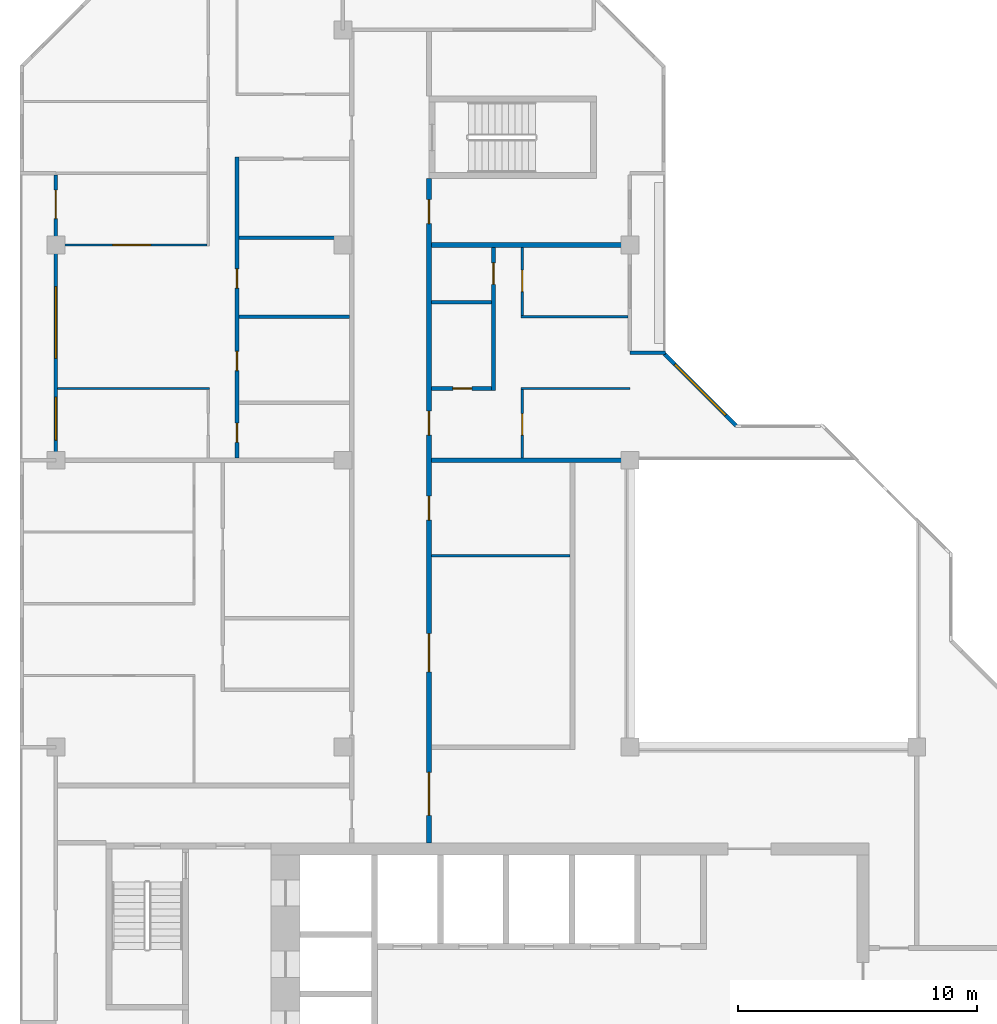
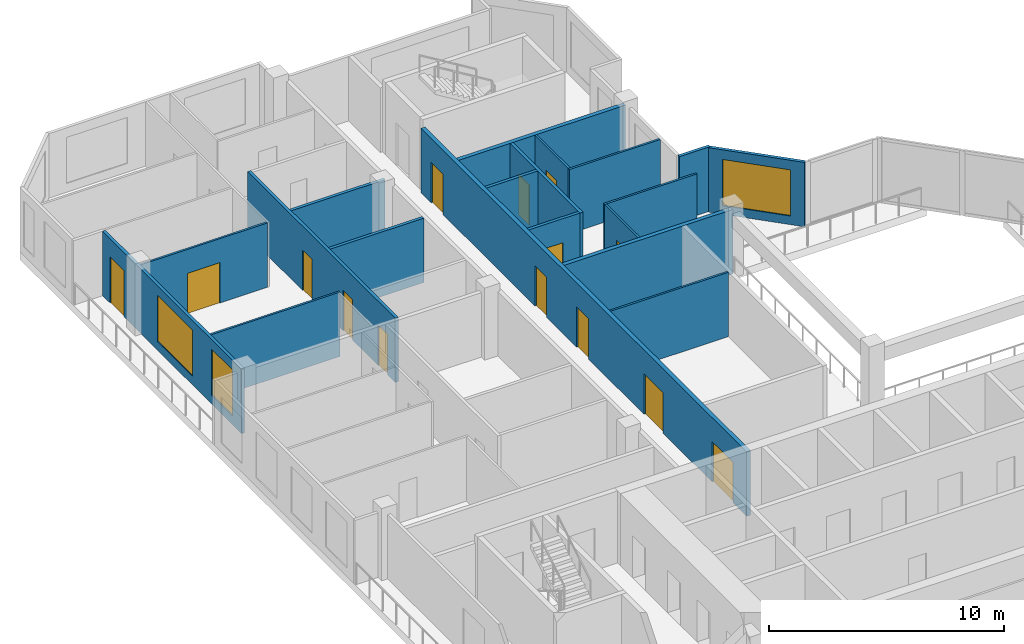
# One storey, part 8 of 12: 19 walls, 14 doors, 3 windows, 17 openings.
"""IFC4 building model written with IfcOpenShell, lengths in metres."""

from ifc_helpers import new_model, si_unit, direction, frame, frame_2d, origin, place, context, subcontext, project, spatial, rectangle, extrude, material, layer, layer_set, type_object, element, fill, save


model = new_model("IFC4")

# Units and contexts
model_context = context("Model", 3, precision=1e-05, world=origin(), true_north=direction((0.0, 1.0)))
body_context = subcontext(model_context, "Body", "Model", "MODEL_VIEW")
ifc_project = project(units=[si_unit("LENGTHUNIT", "METRE"), si_unit("AREAUNIT", "SQUARE_METRE"), si_unit("VOLUMEUNIT", "CUBIC_METRE"), si_unit("PLANEANGLEUNIT", "RADIAN"), si_unit("MASSUNIT", "GRAM", prefix="KILO")], contexts=[model_context])

# Site, building, storey
site_placement = place(None, origin())
site = spatial("IfcSite", under=ifc_project, at=site_placement, CompositionType="ELEMENT")
building_placement = place(site_placement, origin())
building = spatial("IfcBuilding", under=site, at=building_placement, Name="Chenar Terraces", CompositionType="ELEMENT")
storey_placement = place(building_placement, frame((0.0, 0.0, 365.14990234375)))
storey = spatial("IfcBuildingStorey", under=building, at=storey_placement, Name="L85", CompositionType="ELEMENT", Elevation=365.14990234375)

# Wall, openings, doors
ifc_material_1 = material(Name="Gypsum board on steel studs with fire boards", Category="steel")
ifc_layer_1 = layer(ifc_material_1, 0.199951171875)
ifc_layer_set_1 = layer_set([ifc_layer_1], Name="Gypsum board on steel studs with fire boards")
wall_type_1 = type_object("IfcWallType", Name="Corridor wall 200", PredefinedType="PARTITIONING", material=ifc_layer_set_1)
wall_1_placement = place(storey_placement, frame((15.60009765625, 20.0, 0.0), z_axis=(0.0, 0.0, 1.0), x_axis=(0.0, 1.0, 0.0)))
wall_1 = element("IfcWall", 1, at=wall_1_placement, inside=storey, type_object=wall_type_1, Name="Partition L85-032", PredefinedType="PARTITIONING", context=body_context, shape_type="SweptSolid", body=[
    extrude(rectangle(XDim=27.77490234375, YDim=0.199951171875, at=frame_2d((13.887451171875, 0.0))), origin(), (0.0, 0.0, 1.0), 3.35009765625),
])
opening_1_placement = place(wall_1_placement, frame((7.14990234375, 0.0, 0.0)))
opening_1 = element("IfcOpeningElement", 2, at=opening_1_placement, cuts=wall_1, Name="Opening DL85-1", PredefinedType="OPENING", context=body_context, shape_type="SweptSolid", body=[
    extrude(rectangle(XDim=1.60009765625, YDim=2.10009765625, at=frame_2d((0.800048828125, 1.050048828125))), frame((0.0, 0.10986328125, 0.0), z_axis=(0.0, -1.0, 0.0), x_axis=(1.0, 0.0, 0.0)), (0.0, 0.0, 1.0), 0.219970703125),
])
opening_2_placement = place(wall_1_placement, frame((13.5, 0.0, 0.0)))
opening_2 = element("IfcOpeningElement", 3, at=opening_2_placement, cuts=wall_1, Name="Opening DL85-2", PredefinedType="OPENING", context=body_context, shape_type="SweptSolid", body=[
    extrude(rectangle(XDim=1.0, YDim=2.10009765625, at=frame_2d((0.5, 1.050048828125))), frame((0.0, 0.10986328125, 0.0), z_axis=(0.0, -1.0, 0.0), x_axis=(1.0, 0.0, 0.0)), (0.0, 0.0, 1.0), 0.219970703125),
])
opening_3_placement = place(wall_1_placement, frame((17.050048828125, 0.0, 0.0)))
opening_3 = element("IfcOpeningElement", 4, at=opening_3_placement, cuts=wall_1, Name="Opening DL85-8", PredefinedType="OPENING", context=body_context, shape_type="SweptSolid", body=[
    extrude(rectangle(XDim=1.0, YDim=2.10009765625, at=frame_2d((0.5, 1.050048828125))), frame((0.0, 0.10986328125, 0.0), z_axis=(0.0, -1.0, 0.0), x_axis=(1.0, 0.0, 0.0)), (0.0, 0.0, 1.0), 0.219970703125),
])
opening_4_placement = place(wall_1_placement, frame((1.14990234375, 0.0, 0.0)))
opening_4 = element("IfcOpeningElement", 5, at=opening_4_placement, cuts=wall_1, Name="Opening DL85-20", PredefinedType="OPENING", context=body_context, shape_type="SweptSolid", body=[
    extrude(rectangle(XDim=1.800048828125, YDim=2.10009765625, at=frame_2d((0.89990234375, 1.050048828125))), frame((0.0, 0.10986328125, 0.0), z_axis=(0.0, -1.0, 0.0), x_axis=(1.0, 0.0, 0.0)), (0.0, 0.0, 1.0), 0.219970703125),
])
opening_5_placement = place(wall_1_placement, frame((25.89990234375, 0.0, 0.0)))
opening_5 = element("IfcOpeningElement", 6, at=opening_5_placement, cuts=wall_1, Name="Opening DL85-23", PredefinedType="OPENING", context=body_context, shape_type="SweptSolid", body=[
    extrude(rectangle(XDim=1.0, YDim=2.10009765625, at=frame_2d((0.5, 1.050048828125))), frame((0.0, 0.10986328125, 0.0), z_axis=(0.0, -1.0, 0.0), x_axis=(1.0, 0.0, 0.0)), (0.0, 0.0, 1.0), 0.219970703125),
])
ifc_material_2 = material(Name="Steel-framed fire-resisting door leaf", Category="steel")
door_type_1 = type_object("IfcDoorType", Name="Fire door FD60 1000 x 2100", OperationType="SINGLE_SWING_LEFT", PredefinedType="DOOR", material=ifc_material_2)
door_1_placement = place(opening_2_placement, frame((1.0, 0.0, 0.0), z_axis=(0.0, 0.0, 1.0), x_axis=(-1.0, 0.0, 0.0)))
door_1 = element("IfcDoor", 7, at=door_1_placement, inside=storey, type_object=door_type_1, Name="Door DL85-2", OperationType="SINGLE_SWING_LEFT", OverallHeight=2.10009765625, OverallWidth=1.0, PredefinedType="DOOR", context=body_context, shape_type="SweptSolid", body=[
    extrude(rectangle(XDim=1.0, YDim=2.10009765625, at=frame_2d((0.5, 1.050048828125))), frame((0.0, 0.02490234375, 0.0), z_axis=(0.0, -1.0, 0.0), x_axis=(1.0, 0.0, 0.0)), (0.0, 0.0, 1.0), 0.050048828125),
])
fill(opening_2, door_1)
door_2_placement = place(opening_3_placement, frame((1.0, 0.0, 0.0), z_axis=(0.0, 0.0, 1.0), x_axis=(-1.0, 0.0, 0.0)))
door_2 = element("IfcDoor", 8, at=door_2_placement, inside=storey, type_object=door_type_1, Name="Door DL85-8", OperationType="SINGLE_SWING_LEFT", OverallHeight=2.10009765625, OverallWidth=1.0, PredefinedType="DOOR", context=body_context, shape_type="SweptSolid", body=[
    extrude(rectangle(XDim=1.0, YDim=2.10009765625, at=frame_2d((0.5, 1.050048828125))), frame((0.0, 0.02490234375, 0.0), z_axis=(0.0, -1.0, 0.0), x_axis=(1.0, 0.0, 0.0)), (0.0, 0.0, 1.0), 0.050048828125),
])
fill(opening_3, door_2)
door_3_placement = place(opening_5_placement, frame((1.0, 0.0, 0.0), z_axis=(0.0, 0.0, 1.0), x_axis=(-1.0, 0.0, 0.0)))
door_3 = element("IfcDoor", 9, at=door_3_placement, inside=storey, type_object=door_type_1, Name="Door DL85-23", OperationType="SINGLE_SWING_RIGHT", OverallHeight=2.10009765625, OverallWidth=1.0, PredefinedType="DOOR", context=body_context, shape_type="SweptSolid", body=[
    extrude(rectangle(XDim=1.0, YDim=2.10009765625, at=frame_2d((0.5, 1.050048828125))), frame((0.0, 0.02490234375, 0.0), z_axis=(0.0, -1.0, 0.0), x_axis=(1.0, 0.0, 0.0)), (0.0, 0.0, 1.0), 0.050048828125),
])
fill(opening_5, door_3)
ifc_material_3 = material(Name="Steel-framed fire-resisting door leaf", Category="steel")
door_type_2 = type_object("IfcDoorType", Name="Fire double door FD60 1600 x 2100", OperationType="DOUBLE_DOOR_SINGLE_SWING", PredefinedType="DOOR", material=ifc_material_3)
door_4_placement = place(opening_1_placement, frame((1.60009765625, 0.0, 0.0), z_axis=(0.0, 0.0, 1.0), x_axis=(-1.0, 0.0, 0.0)))
door_4 = element("IfcDoor", 10, at=door_4_placement, inside=storey, type_object=door_type_2, Name="Door DL85-1", OperationType="DOUBLE_DOOR_SINGLE_SWING", OverallHeight=2.10009765625, OverallWidth=1.60009765625, PredefinedType="DOOR", context=body_context, shape_type="SweptSolid", body=[
    extrude(rectangle(XDim=1.60009765625, YDim=2.10009765625, at=frame_2d((0.800048828125, 1.050048828125))), frame((0.0, 0.02490234375, 0.0), z_axis=(0.0, -1.0, 0.0), x_axis=(1.0, 0.0, 0.0)), (0.0, 0.0, 1.0), 0.050048828125),
])
fill(opening_1, door_4)
ifc_material_4 = material(Name="Steel-framed fire-resisting door leaf", Category="steel")
door_type_3 = type_object("IfcDoorType", Name="Fire double door FD60 1800 x 2100", OperationType="DOUBLE_DOOR_SINGLE_SWING", PredefinedType="DOOR", material=ifc_material_4)
door_5_placement = place(opening_4_placement, frame((1.800048828125, 0.0, 0.0), z_axis=(0.0, 0.0, 1.0), x_axis=(-1.0, 0.0, 0.0)))
door_5 = element("IfcDoor", 11, at=door_5_placement, inside=storey, type_object=door_type_3, Name="Door DL85-20", OperationType="DOUBLE_DOOR_SINGLE_SWING", OverallHeight=2.10009765625, OverallWidth=1.800048828125, PredefinedType="DOOR", context=body_context, shape_type="SweptSolid", body=[
    extrude(rectangle(XDim=1.800048828125, YDim=2.10009765625, at=frame_2d((0.89990234375, 1.050048828125))), frame((0.0, 0.02490234375, 0.0), z_axis=(0.0, -1.0, 0.0), x_axis=(1.0, 0.0, 0.0)), (0.0, 0.0, 1.0), 0.050048828125),
])
fill(opening_4, door_5)

# Wall, openings, windows, door
ifc_material_5 = material(Name="Aluminium framed glazing", Category="aluminium")
ifc_layer_2 = layer(ifc_material_5, 0.14990234375)
ifc_layer_set_2 = layer_set([ifc_layer_2], Name="Aluminium framed glazing")
wall_type_2 = type_object("IfcWallType", Name="Glazed loggia back wall 150", PredefinedType="SOLIDWALL", material=ifc_layer_set_2)
wall_2_placement = place(storey_placement, frame((0.0, 47.925048828125, 0.0), z_axis=(0.0, 0.0, 1.0), x_axis=(0.0, -1.0, 0.0)))
wall_2 = element("IfcWall", 12, at=wall_2_placement, inside=storey, type_object=wall_type_2, Name="Glazed loggia back wall", PredefinedType="SOLIDWALL", context=body_context, shape_type="SweptSolid", body=[
    extrude(rectangle(XDim=11.85009765625, YDim=0.14990234375, at=frame_2d((5.925048828125, 0.0))), origin(), (0.0, 0.0, 1.0), 3.35009765625),
])
opening_6_placement = place(wall_2_placement, frame((0.625, 0.0, 0.0)))
opening_6 = element("IfcOpeningElement", 13, at=opening_6_placement, cuts=wall_2, Name="Opening DL85-G1", PredefinedType="OPENING", context=body_context, shape_type="SweptSolid", body=[
    extrude(rectangle(XDim=1.199951171875, YDim=2.39990234375, at=frame_2d((0.60009765625, 1.199951171875))), frame((0.0, 0.0849609375, 0.0), z_axis=(0.0, -1.0, 0.0), x_axis=(1.0, 0.0, 0.0)), (0.0, 0.0, 1.0), 0.169921875),
])
opening_7_placement = place(wall_2_placement, frame((4.66259765625, 0.0, 0.449951171875)))
opening_7 = element("IfcOpeningElement", 14, at=opening_7_placement, cuts=wall_2, Name="Opening W300x240", PredefinedType="OPENING", context=body_context, shape_type="SweptSolid", body=[
    extrude(rectangle(XDim=3.0, YDim=2.39990234375, at=frame_2d((1.5, 1.199951171875))), frame((0.0, 0.0849609375, 0.0), z_axis=(0.0, -1.0, 0.0), x_axis=(1.0, 0.0, 0.0)), (0.0, 0.0, 1.0), 0.169921875),
])
opening_8_placement = place(wall_2_placement, frame((9.28759765625, 0.0, 0.449951171875)))
opening_8 = element("IfcOpeningElement", 15, at=opening_8_placement, cuts=wall_2, Name="Opening W180x240", PredefinedType="OPENING", context=body_context, shape_type="SweptSolid", body=[
    extrude(rectangle(XDim=1.800048828125, YDim=2.39990234375, at=frame_2d((0.89990234375, 1.199951171875))), frame((0.0, 0.0849609375, 0.0), z_axis=(0.0, -1.0, 0.0), x_axis=(1.0, 0.0, 0.0)), (0.0, 0.0, 1.0), 0.169921875),
])
ifc_material_6 = material(Name="Low emissivity double glazing, aluminium frame", Category="aluminium")
window_type_1 = type_object("IfcWindowType", Name="Fixed light 1800 x 2400", PartitioningType="SINGLE_PANEL", PredefinedType="WINDOW", material=ifc_material_6)
window_1_placement = place(opening_8_placement, origin())
window_1 = element("IfcWindow", 16, at=window_1_placement, inside=storey, type_object=window_type_1, Name="Window", OverallHeight=2.39990234375, OverallWidth=1.800048828125, PartitioningType="SINGLE_PANEL", PredefinedType="WINDOW", context=body_context, shape_type="SweptSolid", body=[
    extrude(rectangle(XDim=1.800048828125, YDim=2.39990234375, at=frame_2d((0.89990234375, 1.199951171875))), frame((0.0, 0.030029296875, 0.0), z_axis=(0.0, -1.0, 0.0), x_axis=(1.0, 0.0, 0.0)), (0.0, 0.0, 1.0), 0.06005859375),
])
fill(opening_8, window_1)
ifc_material_7 = material(Name="Low emissivity double glazing, aluminium frame", Category="aluminium")
window_type_2 = type_object("IfcWindowType", Name="Fixed light 3000 x 2400", PartitioningType="SINGLE_PANEL", PredefinedType="WINDOW", material=ifc_material_7)
window_2_placement = place(opening_7_placement, origin())
window_2 = element("IfcWindow", 17, at=window_2_placement, inside=storey, type_object=window_type_2, Name="Window", OverallHeight=2.39990234375, OverallWidth=3.0, PartitioningType="SINGLE_PANEL", PredefinedType="WINDOW", context=body_context, shape_type="SweptSolid", body=[
    extrude(rectangle(XDim=3.0, YDim=2.39990234375, at=frame_2d((1.5, 1.199951171875))), frame((0.0, 0.030029296875, 0.0), z_axis=(0.0, -1.0, 0.0), x_axis=(1.0, 0.0, 0.0)), (0.0, 0.0, 1.0), 0.06005859375),
])
fill(opening_7, window_2)
ifc_material_8 = material(Name="Low emissivity double glazing, aluminium frame", Category="aluminium")
door_type_4 = type_object("IfcDoorType", Name="Loggia glazed double door 1200 x 2400", OperationType="DOUBLE_DOOR_SINGLE_SWING", PredefinedType="DOOR", material=ifc_material_8)
door_6_placement = place(opening_6_placement, frame((1.199951171875, 0.0, 0.0), z_axis=(0.0, 0.0, 1.0), x_axis=(-1.0, 0.0, 0.0)))
door_6 = element("IfcDoor", 18, at=door_6_placement, inside=storey, type_object=door_type_4, Name="Loggia glazed door", OperationType="DOUBLE_DOOR_SINGLE_SWING", OverallHeight=2.39990234375, OverallWidth=1.199951171875, PredefinedType="DOOR", context=body_context, shape_type="SweptSolid", body=[
    extrude(rectangle(XDim=1.199951171875, YDim=2.39990234375, at=frame_2d((0.60009765625, 1.199951171875))), frame((0.0, 0.02490234375, 0.0), z_axis=(0.0, -1.0, 0.0), x_axis=(1.0, 0.0, 0.0)), (0.0, 0.0, 1.0), 0.050048828125),
])
fill(opening_6, door_6)

# Wall
ifc_material_9 = material(Name="Gypsum board on steel studs", Category="steel")
ifc_layer_3 = layer(ifc_material_9, 0.10009765625)
ifc_layer_set_3 = layer_set([ifc_layer_3], Name="Gypsum board on steel studs")
wall_type_3 = type_object("IfcWallType", Name="Gypsum partition 100", PredefinedType="PARTITIONING", material=ifc_layer_set_3)
wall_3_placement = place(storey_placement, frame((0.073974609375, 39.0, 0.0), z_axis=(0.0, 0.0, 1.0), x_axis=(1.0, 0.0, 0.0)))
element("IfcWall", 19, at=wall_3_placement, inside=storey, type_object=wall_type_3, Name="Partition L85-009", PredefinedType="PARTITIONING", context=body_context, shape_type="SweptSolid", body=[
    extrude(rectangle(XDim=6.35107421875, YDim=0.10009765625, at=frame_2d((3.175537109375, 0.0))), origin(), (0.0, 0.0, 1.0), 3.35009765625),
])

# Wall, opening, door
wall_4_placement = place(storey_placement, frame((0.073974609375, 45.0, 0.0), z_axis=(0.0, 0.0, 1.0), x_axis=(1.0, 0.0, 0.0)))
wall_4 = element("IfcWall", 20, at=wall_4_placement, inside=storey, type_object=wall_type_3, Name="Partition L85-010", PredefinedType="PARTITIONING", context=body_context, shape_type="SweptSolid", body=[
    extrude(rectangle(XDim=6.2509765625, YDim=0.10009765625, at=frame_2d((3.12548828125, 0.0))), origin(), (0.0, 0.0, 1.0), 3.35009765625),
])
opening_9_placement = place(wall_4_placement, frame((2.301025390625, 0.0, 0.0)))
opening_9 = element("IfcOpeningElement", 21, at=opening_9_placement, cuts=wall_4, Name="Opening DL85-15", PredefinedType="OPENING", context=body_context, shape_type="SweptSolid", body=[
    extrude(rectangle(XDim=1.60009765625, YDim=2.10009765625, at=frame_2d((0.800048828125, 1.050048828125))), frame((0.0, 0.06005859375, 0.0), z_axis=(0.0, -1.0, 0.0), x_axis=(1.0, 0.0, 0.0)), (0.0, 0.0, 1.0), 0.1201171875),
])
ifc_material_10 = material(Name="Veneered timber door leaf", Category="wood")
door_type_5 = type_object("IfcDoorType", Name="Double door 1600 x 2100", OperationType="DOUBLE_DOOR_SINGLE_SWING", PredefinedType="DOOR", material=ifc_material_10)
door_7_placement = place(opening_9_placement, origin())
door_7 = element("IfcDoor", 22, at=door_7_placement, inside=storey, type_object=door_type_5, Name="Door DL85-15", OperationType="DOUBLE_DOOR_SINGLE_SWING", OverallHeight=2.10009765625, OverallWidth=1.60009765625, PredefinedType="DOOR", context=body_context, shape_type="SweptSolid", body=[
    extrude(rectangle(XDim=1.60009765625, YDim=2.10009765625, at=frame_2d((0.800048828125, 1.050048828125))), frame((0.0, 0.02490234375, 0.0), z_axis=(0.0, -1.0, 0.0), x_axis=(1.0, 0.0, 0.0)), (0.0, 0.0, 1.0), 0.050048828125),
])
fill(opening_9, door_7)

# Walls
wall_5_placement = place(storey_placement, frame((15.699951171875, 32.0, 0.0), z_axis=(0.0, 0.0, 1.0), x_axis=(1.0, 0.0, 0.0)))
element("IfcWall", 23, at=wall_5_placement, inside=storey, type_object=wall_type_3, Name="Partition L85-035", PredefinedType="PARTITIONING", context=body_context, shape_type="SweptSolid", body=[
    extrude(rectangle(XDim=5.800048828125, YDim=0.10009765625, at=frame_2d((2.89990234375, 0.0))), origin(), (0.0, 0.0, 1.0), 3.35009765625),
])
wall_6_placement = place(storey_placement, frame((19.449951171875, 39.0, 0.0), z_axis=(0.0, 0.0, 1.0), x_axis=(1.0, 0.0, 0.0)))
element("IfcWall", 24, at=wall_6_placement, inside=storey, type_object=wall_type_3, Name="Partition L85-041", PredefinedType="PARTITIONING", context=body_context, shape_type="SweptSolid", body=[
    extrude(rectangle(XDim=4.550048828125, YDim=0.10009765625, at=frame_2d((2.27490234375, 0.0))), origin(), (0.0, 0.0, 1.0), 3.35009765625),
])
wall_7_placement = place(storey_placement, frame((19.449951171875, 42.0, 0.0), z_axis=(0.0, 0.0, 1.0), x_axis=(1.0, 0.0, 0.0)))
element("IfcWall", 25, at=wall_7_placement, inside=storey, type_object=wall_type_3, Name="Partition L85-042", PredefinedType="PARTITIONING", context=body_context, shape_type="SweptSolid", body=[
    extrude(rectangle(XDim=4.47607421875, YDim=0.10009765625, at=frame_2d((2.238037109375, 0.0))), origin(), (0.0, 0.0, 1.0), 3.35009765625),
])

# Wall, opening, door
wall_8_placement = place(storey_placement, frame((19.5, 36.10009765625, 0.0), z_axis=(0.0, 0.0, 1.0), x_axis=(0.0, 1.0, 0.0)))
wall_8 = element("IfcWall", 26, at=wall_8_placement, inside=storey, type_object=wall_type_3, Name="Partition L85-043", PredefinedType="PARTITIONING", context=body_context, shape_type="SweptSolid", body=[
    extrude(rectangle(XDim=2.849853515625, YDim=0.10009765625, at=frame_2d((1.4248046875, 0.0))), origin(), (0.0, 0.0, 1.0), 3.35009765625),
])
opening_10_placement = place(wall_8_placement, frame((0.949951171875, 0.0, 0.0)))
opening_10 = element("IfcOpeningElement", 27, at=opening_10_placement, cuts=wall_8, Name="Opening DL85-5", PredefinedType="OPENING", context=body_context, shape_type="SweptSolid", body=[
    extrude(rectangle(XDim=0.89990234375, YDim=2.10009765625, at=frame_2d((0.449951171875, 1.050048828125))), frame((0.0, 0.06005859375, 0.0), z_axis=(0.0, -1.0, 0.0), x_axis=(1.0, 0.0, 0.0)), (0.0, 0.0, 1.0), 0.1201171875),
])
ifc_material_11 = material(Name="Veneered timber door leaf", Category="wood")
door_type_6 = type_object("IfcDoorType", Name="Door 900 x 2100", OperationType="SINGLE_SWING_LEFT", PredefinedType="DOOR", material=ifc_material_11)
door_8_placement = place(opening_10_placement, frame((0.89990234375, 0.0, 0.0), z_axis=(0.0, 0.0, 1.0), x_axis=(-1.0, 0.0, 0.0)))
door_8 = element("IfcDoor", 28, at=door_8_placement, inside=storey, type_object=door_type_6, Name="Door DL85-5", OperationType="SINGLE_SWING_LEFT", OverallHeight=2.10009765625, OverallWidth=0.89990234375, PredefinedType="DOOR", context=body_context, shape_type="SweptSolid", body=[
    extrude(rectangle(XDim=0.89990234375, YDim=2.10009765625, at=frame_2d((0.449951171875, 1.050048828125))), frame((0.0, 0.02490234375, 0.0), z_axis=(0.0, -1.0, 0.0), x_axis=(1.0, 0.0, 0.0)), (0.0, 0.0, 1.0), 0.050048828125),
])
fill(opening_10, door_8)

wall_9_placement = place(storey_placement, frame((19.5, 42.050048828125, 0.0), z_axis=(0.0, 0.0, 1.0), x_axis=(0.0, 1.0, 0.0)))
wall_9 = element("IfcWall", 29, at=wall_9_placement, inside=storey, type_object=wall_type_3, Name="Partition L85-044", PredefinedType="PARTITIONING", context=body_context, shape_type="SweptSolid", body=[
    extrude(rectangle(XDim=2.849853515625, YDim=0.10009765625, at=frame_2d((1.4248046875, 0.0))), origin(), (0.0, 0.0, 1.0), 3.35009765625),
])
opening_11_placement = place(wall_9_placement, frame((1.0, 0.0, 0.0)))
opening_11 = element("IfcOpeningElement", 30, at=opening_11_placement, cuts=wall_9, Name="Opening DL85-6", PredefinedType="OPENING", context=body_context, shape_type="SweptSolid", body=[
    extrude(rectangle(XDim=0.89990234375, YDim=2.10009765625, at=frame_2d((0.449951171875, 1.050048828125))), frame((0.0, 0.06005859375, 0.0), z_axis=(0.0, -1.0, 0.0), x_axis=(1.0, 0.0, 0.0)), (0.0, 0.0, 1.0), 0.1201171875),
])
door_9_placement = place(opening_11_placement, frame((0.89990234375, 0.0, 0.0), z_axis=(0.0, 0.0, 1.0), x_axis=(-1.0, 0.0, 0.0)))
door_9 = element("IfcDoor", 31, at=door_9_placement, inside=storey, type_object=door_type_6, Name="Door DL85-6", OperationType="SINGLE_SWING_LEFT", OverallHeight=2.10009765625, OverallWidth=0.89990234375, PredefinedType="DOOR", context=body_context, shape_type="SweptSolid", body=[
    extrude(rectangle(XDim=0.89990234375, YDim=2.10009765625, at=frame_2d((0.449951171875, 1.050048828125))), frame((0.0, 0.02490234375, 0.0), z_axis=(0.0, -1.0, 0.0), x_axis=(1.0, 0.0, 0.0)), (0.0, 0.0, 1.0), 0.050048828125),
])
fill(opening_11, door_9)

# Wall
ifc_material_12 = material(Name="Terracotta cladding on insulated backing", Category="masonry")
ifc_layer_4 = layer(ifc_material_12, 0.14990234375)
ifc_layer_set_4 = layer_set([ifc_layer_4], Name="Terracotta cladding on insulated backing")
wall_type_4 = type_object("IfcWallType", Name="Loggia return wall 150", PredefinedType="SOLIDWALL", material=ifc_layer_set_4)
wall_10_placement = place(storey_placement, frame((25.5, 40.5, 0.0), z_axis=(0.0, 0.0, 1.0), x_axis=(-1.0, 0.0, 0.0)))
element("IfcWall", 32, at=wall_10_placement, inside=storey, type_object=wall_type_4, Name="Loggia return wall", PredefinedType="SOLIDWALL", context=body_context, shape_type="SweptSolid", body=[
    extrude(rectangle(XDim=1.5, YDim=0.14990234375, at=frame_2d((0.75, 0.0))), origin(), (0.0, 0.0, 1.0), 3.35009765625),
])

# Wall, opening, window
ifc_material_13 = material(Name="Terracotta cladding on insulated backing", Category="masonry")
ifc_layer_5 = layer(ifc_material_13, 0.14990234375)
ifc_layer_set_5 = layer_set([ifc_layer_5], Name="Terracotta cladding on insulated backing")
wall_type_5 = type_object("IfcWallType", Name="Terracotta rainscreen wall 150", PredefinedType="SOLIDWALL", material=ifc_layer_set_5)
wall_11_placement = place(storey_placement, frame((28.447021484375, 37.447021484375, 0.0), z_axis=(0.0, 0.0, 1.0), x_axis=(-0.707106781187, 0.707106781187, 0.0)))
wall_11 = element("IfcWall", 33, at=wall_11_placement, inside=storey, type_object=wall_type_5, Name="Terracotta rainscreen wall", PredefinedType="SOLIDWALL", context=body_context, shape_type="SweptSolid", body=[
    extrude(rectangle(XDim=4.24267578125, YDim=0.14990234375, at=frame_2d((2.121337890625, 0.0))), origin(), (0.0, 0.0, 1.0), 3.35009765625),
])
opening_12_placement = place(wall_11_placement, frame((0.621337890625, 0.0, 0.449951171875)))
opening_12 = element("IfcOpeningElement", 34, at=opening_12_placement, cuts=wall_11, Name="Opening W300x240", PredefinedType="OPENING", context=body_context, shape_type="SweptSolid", body=[
    extrude(rectangle(XDim=3.0, YDim=2.39990234375, at=frame_2d((1.5, 1.199951171875))), frame((0.0, 0.0849609375, 0.0), z_axis=(0.0, -1.0, 0.0), x_axis=(1.0, 0.0, 0.0)), (0.0, 0.0, 1.0), 0.169921875),
])
window_3_placement = place(opening_12_placement, origin())
window_3 = element("IfcWindow", 35, at=window_3_placement, inside=storey, type_object=window_type_2, Name="Window", OverallHeight=2.39990234375, OverallWidth=3.0, PartitioningType="SINGLE_PANEL", PredefinedType="WINDOW", context=body_context, shape_type="SweptSolid", body=[
    extrude(rectangle(XDim=3.0, YDim=2.39990234375, at=frame_2d((1.5, 1.199951171875))), frame((0.0, 0.030029296875, 0.0), z_axis=(0.0, -1.0, 0.0), x_axis=(1.0, 0.0, 0.0)), (0.0, 0.0, 1.0), 0.06005859375),
])
fill(opening_12, window_3)

# Walls
ifc_material_14 = material(Name="Twin gypsum board on steel studs with mineral wool", Category="steel")
ifc_layer_6 = layer(ifc_material_14, 0.199951171875)
ifc_layer_set_6 = layer_set([ifc_layer_6], Name="Twin gypsum board on steel studs with mineral wool")
wall_type_6 = type_object("IfcWallType", Name="Unit demising wall 200", PredefinedType="PARTITIONING", material=ifc_layer_set_6)
wall_12_placement = place(storey_placement, frame((15.699951171875, 36.0, 0.0), z_axis=(0.0, 0.0, 1.0), x_axis=(1.0, 0.0, 0.0)))
element("IfcWall", 36, at=wall_12_placement, inside=storey, type_object=wall_type_6, Name="Partition L85-036", PredefinedType="PARTITIONING", context=body_context, shape_type="SweptSolid", body=[
    extrude(rectangle(XDim=8.300048828125, YDim=0.199951171875, at=frame_2d((4.14990234375, 0.0))), origin(), (0.0, 0.0, 1.0), 3.35009765625),
])
wall_13_placement = place(storey_placement, frame((15.699951171875, 45.0, 0.0), z_axis=(0.0, 0.0, 1.0), x_axis=(1.0, 0.0, 0.0)))
element("IfcWall", 37, at=wall_13_placement, inside=storey, type_object=wall_type_6, Name="Partition L85-039", PredefinedType="PARTITIONING", context=body_context, shape_type="SweptSolid", body=[
    extrude(rectangle(XDim=8.22607421875, YDim=0.199951171875, at=frame_2d((4.113037109375, 0.0))), origin(), (0.0, 0.0, 1.0), 3.35009765625),
])

# Wall, openings, doors
ifc_material_15 = material(Name="Moisture-resistant gypsum board on steel studs", Category="steel")
ifc_layer_7 = layer(ifc_material_15, 0.14990234375)
ifc_layer_set_7 = layer_set([ifc_layer_7], Name="Moisture-resistant gypsum board on steel studs")
wall_type_7 = type_object("IfcWallType", Name="Wet-room partition 150", PredefinedType="PARTITIONING", material=ifc_layer_set_7)
wall_14_placement = place(storey_placement, frame((7.574951171875, 36.10009765625, 0.0), z_axis=(0.0, 0.0, 1.0), x_axis=(0.0, 1.0, 0.0)))
wall_14 = element("IfcWall", 38, at=wall_14_placement, inside=storey, type_object=wall_type_7, Name="Partition L85-020", PredefinedType="PARTITIONING", context=body_context, shape_type="SweptSolid", body=[
    extrude(rectangle(XDim=12.574951171875, YDim=0.14990234375, at=frame_2d((6.28759765625, 0.0))), origin(), (0.0, 0.0, 1.0), 3.35009765625),
])
opening_13_placement = place(wall_14_placement, frame((0.64990234375, 0.0, 0.0)))
opening_13 = element("IfcOpeningElement", 39, at=opening_13_placement, cuts=wall_14, Name="Opening DL85-13", PredefinedType="OPENING", context=body_context, shape_type="SweptSolid", body=[
    extrude(rectangle(XDim=0.800048828125, YDim=2.10009765625, at=frame_2d((0.39990234375, 1.050048828125))), frame((0.0, 0.0849609375, 0.0), z_axis=(0.0, -1.0, 0.0), x_axis=(1.0, 0.0, 0.0)), (0.0, 0.0, 1.0), 0.169921875),
])
opening_14_placement = place(wall_14_placement, frame((3.64990234375, 0.0, 0.0)))
opening_14 = element("IfcOpeningElement", 40, at=opening_14_placement, cuts=wall_14, Name="Opening DL85-17", PredefinedType="OPENING", context=body_context, shape_type="SweptSolid", body=[
    extrude(rectangle(XDim=0.800048828125, YDim=2.10009765625, at=frame_2d((0.39990234375, 1.050048828125))), frame((0.0, 0.0849609375, 0.0), z_axis=(0.0, -1.0, 0.0), x_axis=(1.0, 0.0, 0.0)), (0.0, 0.0, 1.0), 0.169921875),
])
opening_15_placement = place(wall_14_placement, frame((7.10009765625, 0.0, 0.0)))
opening_15 = element("IfcOpeningElement", 41, at=opening_15_placement, cuts=wall_14, Name="Opening DL85-18", PredefinedType="OPENING", context=body_context, shape_type="SweptSolid", body=[
    extrude(rectangle(XDim=0.800048828125, YDim=2.10009765625, at=frame_2d((0.39990234375, 1.050048828125))), frame((0.0, 0.0849609375, 0.0), z_axis=(0.0, -1.0, 0.0), x_axis=(1.0, 0.0, 0.0)), (0.0, 0.0, 1.0), 0.169921875),
])
ifc_material_16 = material(Name="Veneered timber door leaf", Category="wood")
door_type_7 = type_object("IfcDoorType", Name="Door 800 x 2100", OperationType="SINGLE_SWING_LEFT", PredefinedType="DOOR", material=ifc_material_16)
door_10_placement = place(opening_13_placement, frame((0.800048828125, 0.0, 0.0), z_axis=(0.0, 0.0, 1.0), x_axis=(-1.0, 0.0, 0.0)))
door_10 = element("IfcDoor", 42, at=door_10_placement, inside=storey, type_object=door_type_7, Name="Door DL85-13", OperationType="SINGLE_SWING_RIGHT", OverallHeight=2.10009765625, OverallWidth=0.800048828125, PredefinedType="DOOR", context=body_context, shape_type="SweptSolid", body=[
    extrude(rectangle(XDim=0.800048828125, YDim=2.10009765625, at=frame_2d((0.39990234375, 1.050048828125))), frame((0.0, 0.02490234375, 0.0), z_axis=(0.0, -1.0, 0.0), x_axis=(1.0, 0.0, 0.0)), (0.0, 0.0, 1.0), 0.050048828125),
])
fill(opening_13, door_10)
door_11_placement = place(opening_14_placement, frame((0.800048828125, 0.0, 0.0), z_axis=(0.0, 0.0, 1.0), x_axis=(-1.0, 0.0, 0.0)))
door_11 = element("IfcDoor", 43, at=door_11_placement, inside=storey, type_object=door_type_7, Name="Door DL85-17", OperationType="SINGLE_SWING_RIGHT", OverallHeight=2.10009765625, OverallWidth=0.800048828125, PredefinedType="DOOR", context=body_context, shape_type="SweptSolid", body=[
    extrude(rectangle(XDim=0.800048828125, YDim=2.10009765625, at=frame_2d((0.39990234375, 1.050048828125))), frame((0.0, 0.02490234375, 0.0), z_axis=(0.0, -1.0, 0.0), x_axis=(1.0, 0.0, 0.0)), (0.0, 0.0, 1.0), 0.050048828125),
])
fill(opening_14, door_11)
door_12_placement = place(opening_15_placement, frame((0.800048828125, 0.0, 0.0), z_axis=(0.0, 0.0, 1.0), x_axis=(-1.0, 0.0, 0.0)))
door_12 = element("IfcDoor", 44, at=door_12_placement, inside=storey, type_object=door_type_7, Name="Door DL85-18", OperationType="SINGLE_SWING_RIGHT", OverallHeight=2.10009765625, OverallWidth=0.800048828125, PredefinedType="DOOR", context=body_context, shape_type="SweptSolid", body=[
    extrude(rectangle(XDim=0.800048828125, YDim=2.10009765625, at=frame_2d((0.39990234375, 1.050048828125))), frame((0.0, 0.02490234375, 0.0), z_axis=(0.0, -1.0, 0.0), x_axis=(1.0, 0.0, 0.0)), (0.0, 0.0, 1.0), 0.050048828125),
])
fill(opening_15, door_12)

# Walls
for number, where, z_axis, x_axis, name in (
    (45, (7.64990234375, 42.0, 0.0), (0.0, 0.0, 1.0), (1.0, 0.0, 0.0), "Partition L85-023"),
    (46, (7.64990234375, 45.300048828125, 0.0), (0.0, 0.0, 1.0), (1.0, 0.0, 0.0), "Partition L85-024"),
):
    element("IfcWall", number, at=place(storey_placement, frame(where, z_axis=z_axis, x_axis=x_axis)), inside=storey, type_object=wall_type_7, Name=name, PredefinedType="PARTITIONING", context=body_context, shape_type="SweptSolid", body=[
        extrude(rectangle(XDim=4.625, YDim=0.14990234375, at=frame_2d((2.3125, 0.0))), origin(), (0.0, 0.0, 1.0), 3.35009765625),
    ])

# Wall, opening, door
wall_15_placement = place(storey_placement, frame((15.699951171875, 39.0, 0.0), z_axis=(0.0, 0.0, 1.0), x_axis=(1.0, 0.0, 0.0)))
wall_15 = element("IfcWall", 47, at=wall_15_placement, inside=storey, type_object=wall_type_7, Name="Partition L85-037", PredefinedType="PARTITIONING", context=body_context, shape_type="SweptSolid", body=[
    extrude(rectangle(XDim=2.525146484375, YDim=0.14990234375, at=frame_2d((1.2626953125, 0.0))), origin(), (0.0, 0.0, 1.0), 3.35009765625),
])
opening_16_placement = place(wall_15_placement, frame((0.89990234375, 0.0, 0.0)))
opening_16 = element("IfcOpeningElement", 48, at=opening_16_placement, cuts=wall_15, Name="Opening DL85-4", PredefinedType="OPENING", context=body_context, shape_type="SweptSolid", body=[
    extrude(rectangle(XDim=0.800048828125, YDim=2.10009765625, at=frame_2d((0.39990234375, 1.050048828125))), frame((0.0, 0.0849609375, 0.0), z_axis=(0.0, -1.0, 0.0), x_axis=(1.0, 0.0, 0.0)), (0.0, 0.0, 1.0), 0.169921875),
])
door_13_placement = place(opening_16_placement, origin())
door_13 = element("IfcDoor", 49, at=door_13_placement, inside=storey, type_object=door_type_7, Name="Door DL85-4", OperationType="SINGLE_SWING_RIGHT", OverallHeight=2.10009765625, OverallWidth=0.800048828125, PredefinedType="DOOR", context=body_context, shape_type="SweptSolid", body=[
    extrude(rectangle(XDim=0.800048828125, YDim=2.10009765625, at=frame_2d((0.39990234375, 1.050048828125))), frame((0.0, 0.02490234375, 0.0), z_axis=(0.0, -1.0, 0.0), x_axis=(1.0, 0.0, 0.0)), (0.0, 0.0, 1.0), 0.050048828125),
])
fill(opening_16, door_13)

# Wall
wall_16_placement = place(storey_placement, frame((15.699951171875, 42.60009765625, 0.0), z_axis=(0.0, 0.0, 1.0), x_axis=(1.0, 0.0, 0.0)))
element("IfcWall", 50, at=wall_16_placement, inside=storey, type_object=wall_type_7, Name="Partition L85-038", PredefinedType="PARTITIONING", context=body_context, shape_type="SweptSolid", body=[
    extrude(rectangle(XDim=2.525146484375, YDim=0.14990234375, at=frame_2d((1.2626953125, 0.0))), origin(), (0.0, 0.0, 1.0), 3.35009765625),
])

# Wall, opening, door
wall_17_placement = place(storey_placement, frame((18.300048828125, 38.925048828125, 0.0), z_axis=(0.0, 0.0, 1.0), x_axis=(0.0, 1.0, 0.0)))
wall_17 = element("IfcWall", 51, at=wall_17_placement, inside=storey, type_object=wall_type_7, Name="Partition L85-040", PredefinedType="PARTITIONING", context=body_context, shape_type="SweptSolid", body=[
    extrude(rectangle(XDim=5.974853515625, YDim=0.14990234375, at=frame_2d((2.9873046875, 0.0))), origin(), (0.0, 0.0, 1.0), 3.35009765625),
])
opening_17_placement = place(wall_17_placement, frame((4.425048828125, 0.0, 0.0)))
opening_17 = element("IfcOpeningElement", 52, at=opening_17_placement, cuts=wall_17, Name="Opening DL85-7", PredefinedType="OPENING", context=body_context, shape_type="SweptSolid", body=[
    extrude(rectangle(XDim=0.89990234375, YDim=2.10009765625, at=frame_2d((0.449951171875, 1.050048828125))), frame((0.0, 0.0849609375, 0.0), z_axis=(0.0, -1.0, 0.0), x_axis=(1.0, 0.0, 0.0)), (0.0, 0.0, 1.0), 0.169921875),
])
door_14_placement = place(opening_17_placement, origin())
door_14 = element("IfcDoor", 53, at=door_14_placement, inside=storey, type_object=door_type_6, Name="Door DL85-7", OperationType="SINGLE_SWING_RIGHT", OverallHeight=2.10009765625, OverallWidth=0.89990234375, PredefinedType="DOOR", context=body_context, shape_type="SweptSolid", body=[
    extrude(rectangle(XDim=0.89990234375, YDim=2.10009765625, at=frame_2d((0.449951171875, 1.050048828125))), frame((0.0, 0.02490234375, 0.0), z_axis=(0.0, -1.0, 0.0), x_axis=(1.0, 0.0, 0.0)), (0.0, 0.0, 1.0), 0.050048828125),
])
fill(opening_17, door_14)

save(model, "model.ifc")
